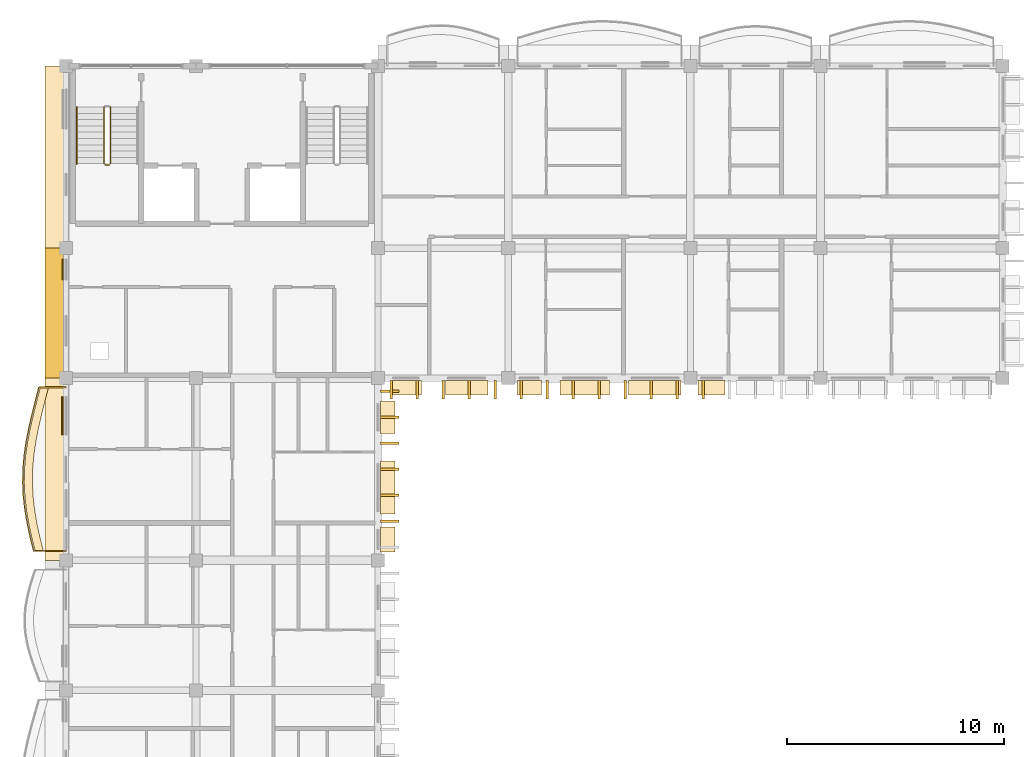
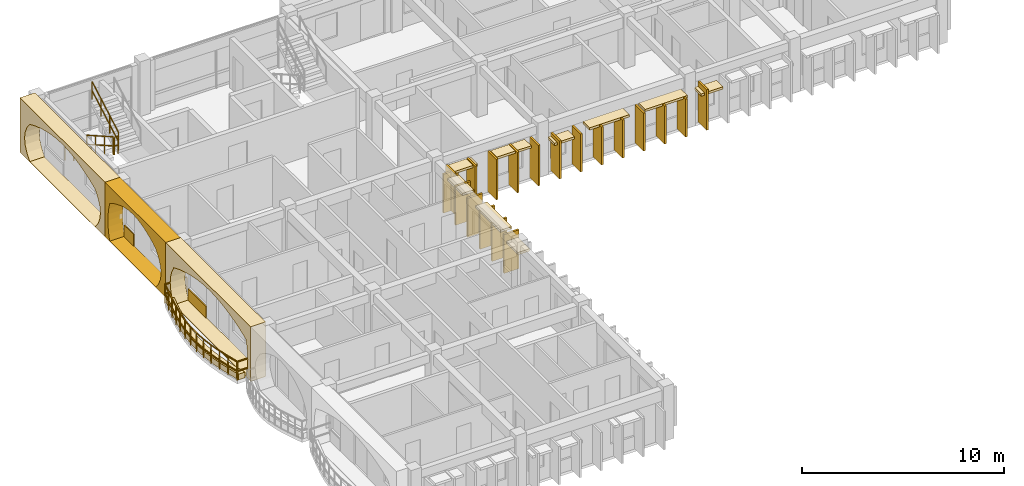
# One storey, part 35 of 45: 34 coverings, 5 railings.
"""IFC4 building model written with IfcOpenShell, lengths in metres."""

import ifcopenshell
import ifcopenshell.guid

model = None  # the IFC model being written
_history = None  # IfcOwnerHistory: only IFC2X3 demands one
_inside = {}  # id of a spatial element -> (the spatial element, [elements in it])
_under = {}  # id of a project, library or spatial element -> (it, [spatial elements below it])
_declared = {}  # id of a project -> (the project, [libraries it declares])
_typed = {}  # id of a type object -> (the type object, [elements of that type])
_made_of = {}  # id of a material, layer set ... -> (it, [elements and type objects made of it])


def new_model(schema):
    """Start an empty IFC model of exactly this schema.

    Asked for "IFC4X3", IfcOpenShell would pick the latest addendum, in which some entities
    have other attributes; the version numbers below select the first issue.
    IFC2X3 requires an IfcOwnerHistory on every rooted entity: one is made here for all.
    """
    global model, _history
    if schema == "IFC4X3":
        model = ifcopenshell.file(schema_version=(4, 3, 0, 0))
    else:
        model = ifcopenshell.file(schema=schema)
    _inside.clear()
    _under.clear()
    _declared.clear()
    _typed.clear()
    _made_of.clear()
    _history = None
    if model.schema == "IFC2X3":
        org = make("IfcOrganization", Name="unknown")
        user = make(
            "IfcPersonAndOrganization",
            ThePerson=make("IfcPerson", FamilyName="unknown"),
            TheOrganization=org,
        )
        app = make(
            "IfcApplication",
            ApplicationDeveloper=org,
            Version="unknown",
            ApplicationFullName="unknown",
            ApplicationIdentifier="unknown",
        )
        _history = make(
            "IfcOwnerHistory",
            OwningUser=user,
            OwningApplication=app,
            ChangeAction="ADDED",
            CreationDate=0,
        )
    return model


def make(cls, **values):
    """One entity of the class cls with the attributes given. An attribute that is None is left unset."""
    return model.create_entity(
        cls, **{name: value for name, value in values.items() if value is not None}
    )


def rooted(cls, **values):
    """An entity with a GlobalId (a new one), such as an element, a storey or a relation."""
    return make(cls, GlobalId=ifcopenshell.guid.new(), OwnerHistory=_history, **values)


def si_unit(unit_type, name, prefix=None):
    """IfcSIUnit, for example si_unit("LENGTHUNIT", "METRE", prefix="MILLI")."""
    return make("IfcSIUnit", UnitType=unit_type, Prefix=prefix, Name=name)


def assignment(units):
    """IfcUnitAssignment: the units of a project."""
    return None if units is None else make("IfcUnitAssignment", Units=units)


def point(xyz):
    """IfcCartesianPoint."""
    return None if xyz is None else make("IfcCartesianPoint", Coordinates=xyz)


def direction(xyz):
    """IfcDirection."""
    return None if xyz is None else make("IfcDirection", DirectionRatios=xyz)


def frame(location, z_axis=None, x_axis=None):
    """IfcAxis2Placement3D, a coordinate frame: its origin and axes. An axis left out is left unset."""
    return make(
        "IfcAxis2Placement3D",
        Location=point(location),
        Axis=direction(z_axis),
        RefDirection=direction(x_axis),
    )


def frame_2d(location, x_axis=None):
    """IfcAxis2Placement2D, a coordinate frame in the plane: its origin and x axis."""
    return make(
        "IfcAxis2Placement2D", Location=point(location), RefDirection=direction(x_axis)
    )


def origin():
    """The frame at (0, 0, 0) with its axes left unset."""
    return frame((0.0, 0.0, 0.0))


def origin_2d():
    """The frame at (0, 0) in the plane with its x axis left unset."""
    return frame_2d((0.0, 0.0))


def place(relative_to, where):
    """IfcLocalPlacement: puts the frame where relative to a parent placement (None: the world)."""
    return make(
        "IfcLocalPlacement", PlacementRelTo=relative_to, RelativePlacement=where
    )


def context(
    kind, dimensions, precision=None, world=None, true_north=None, identifier=None
):
    """IfcGeometricRepresentationContext, for example the 3D "Model" context."""
    return make(
        "IfcGeometricRepresentationContext",
        ContextIdentifier=identifier,
        ContextType=kind,
        CoordinateSpaceDimension=dimensions,
        Precision=precision,
        WorldCoordinateSystem=world,
        TrueNorth=true_north,
    )


def subcontext(parent, identifier, kind, view, scale=None):
    """IfcGeometricRepresentationSubContext, for example "Body" below "Model"."""
    return make(
        "IfcGeometricRepresentationSubContext",
        ContextIdentifier=identifier,
        ContextType=kind,
        ParentContext=parent,
        TargetScale=scale,
        TargetView=view,
    )


def project(units=None, contexts=None):
    """IfcProject with its units and contexts."""
    return rooted(
        "IfcProject",
        Name="project",
        RepresentationContexts=contexts,
        UnitsInContext=assignment(units),
    )


def spatial(cls, under=None, at=None, **own):
    """A site, building, storey or space (cls), placed at a placement, below another one or the project."""
    s = rooted(cls, ObjectPlacement=at, **own)
    if under is not None:
        _under.setdefault(under.id(), (under, []))[1].append(s)
    return s


def polyline(points):
    """IfcPolyline through the points."""
    return make("IfcPolyline", Points=[point(p) for p in points])


def profile(cls, at=None, kind="AREA", **sizes):
    """A parametric profile (cls). Its sizes go by their IFC names, for example OverallWidth=200.0."""
    return make(cls, ProfileType=kind, Position=at, **sizes)


def rectangle(**sizes):
    """IfcRectangleProfileDef."""
    return profile("IfcRectangleProfileDef", **sizes)


def outline(outer, holes=None, kind="AREA"):
    """IfcArbitraryClosedProfileDef: a profile drawn as a closed curve; with holes, ...WithVoids."""
    if holes is None:
        return make("IfcArbitraryClosedProfileDef", ProfileType=kind, OuterCurve=outer)
    return make(
        "IfcArbitraryProfileDefWithVoids",
        ProfileType=kind,
        OuterCurve=outer,
        InnerCurves=holes,
    )


def extrude(swept, where, along, depth):
    """IfcExtrudedAreaSolid: the profile swept, set in the frame where, extruded along a direction by depth."""
    return make(
        "IfcExtrudedAreaSolid",
        SweptArea=swept,
        Position=where,
        ExtrudedDirection=direction(along),
        Depth=depth,
    )


def shape(context_of_items, identifier, shape_type, items):
    """IfcShapeRepresentation: the items that make up one representation, for example the "Body"."""
    return make(
        "IfcShapeRepresentation",
        ContextOfItems=context_of_items,
        RepresentationIdentifier=identifier,
        RepresentationType=shape_type,
        Items=items,
    )


def material(Name=None, Category=None):
    """IfcMaterial."""
    return make("IfcMaterial", Name=Name, Category=Category)


def layer(
    of_material, thickness, ventilated=None, Name=None, Category=None, Priority=None
):
    """IfcMaterialLayer: one layer of a wall or slab, of a material (None: an air gap)."""
    return make(
        "IfcMaterialLayer",
        Material=of_material,
        LayerThickness=thickness,
        IsVentilated=ventilated,
        Name=Name,
        Category=Category,
        Priority=Priority,
    )


def layer_set(layers, Name=None):
    """IfcMaterialLayerSet."""
    return make("IfcMaterialLayerSet", MaterialLayers=layers, LayerSetName=Name)


def made_of(thing, what):
    """Note that an element or type object is made of a material, layer set ...; save() writes the relation."""
    if what is not None:
        _made_of.setdefault(what.id(), (what, []))[1].append(thing)
    return thing


def type_object(cls, material=None, **own):
    """A type object (cls), such as IfcWallType, which elements share."""
    return made_of(rooted(cls, **own), material)


def element(
    cls,
    number,
    at=None,
    inside=None,
    cuts=None,
    type_object=None,
    material=None,
    context=None,
    identifier="Body",
    shape_type=None,
    held_by="IfcProductDefinitionShape",
    body=None,
    shapes=None,
    **own,
):
    """One element of the class cls, such as IfcWall. Its Tag is "e" and its number.

    at: its placement. inside: the storey or other place that contains it. cuts: it is an
    opening in that element (IfcRelVoidsElement). A single representation is given by context,
    identifier, shape_type and body (its items); several are given by shapes. held_by: the class
    of the entity that holds the representations. save() writes the other relations.
    """
    e = rooted(cls, Tag="e%d" % number, ObjectPlacement=at, **own)
    if body is not None:
        shapes = [shape(context, identifier, shape_type, body)]
    if shapes is not None:
        e.Representation = make(held_by, Representations=shapes)
    if inside is not None:
        _inside.setdefault(inside.id(), (inside, []))[1].append(e)
    if cuts is not None:
        rooted(
            "IfcRelVoidsElement", RelatingBuildingElement=cuts, RelatedOpeningElement=e
        )
    if type_object is not None:
        _typed.setdefault(type_object.id(), (type_object, []))[1].append(e)
    return made_of(e, material)


def aggregate(whole, parts):
    """IfcRelAggregates: a whole, such as a stair, and the parts it consists of."""
    return rooted("IfcRelAggregates", RelatingObject=whole, RelatedObjects=parts)


def save(model, path):
    """Write the relations noted so far, then the file.

    IfcRelAggregates (storeys below a building ...), IfcRelContainedInSpatialStructure (elements
    in a storey), IfcRelDefinesByType, IfcRelAssociatesMaterial and IfcRelDeclares: one each for
    every whole, place, type object, material and project.
    """
    for whole, parts in _under.values():
        aggregate(whole, parts)
    for where, things in _inside.values():
        rooted(
            "IfcRelContainedInSpatialStructure",
            RelatedElements=things,
            RelatingStructure=where,
        )
    for kind, things in _typed.values():
        rooted("IfcRelDefinesByType", RelatedObjects=things, RelatingType=kind)
    for what, things in _made_of.values():
        rooted("IfcRelAssociatesMaterial", RelatedObjects=things, RelatingMaterial=what)
    for by, libraries in _declared.values():
        rooted("IfcRelDeclares", RelatingContext=by, RelatedDefinitions=libraries)
    model.write(path)


model = new_model("IFC4")

# Units and contexts
model_context = context("Model", 3, precision=1e-05, world=origin(), true_north=direction((0.0, 1.0)))
body_context = subcontext(model_context, "Body", "Model", "MODEL_VIEW")
ifc_project = project(units=[si_unit("LENGTHUNIT", "METRE"), si_unit("AREAUNIT", "SQUARE_METRE"), si_unit("VOLUMEUNIT", "CUBIC_METRE"), si_unit("PLANEANGLEUNIT", "RADIAN"), si_unit("MASSUNIT", "GRAM", prefix="KILO"), si_unit("THERMODYNAMICTEMPERATUREUNIT", "KELVIN")], contexts=[model_context])

# Site, building, storey
site_placement = place(None, origin())
site = spatial("IfcSite", under=ifc_project, at=site_placement, CompositionType="ELEMENT")
building_placement = place(site_placement, origin())
building = spatial("IfcBuilding", under=site, at=building_placement, Name="Thalorik Housing Commons", CompositionType="ELEMENT")
storey_placement = place(building_placement, frame((0.0, 0.0, 34.5)))
storey = spatial("IfcBuildingStorey", under=building, at=storey_placement, Name="L10", CompositionType="ELEMENT", Elevation=34.5)

# Coverings
ifc_material_1 = material(Name="Cobalt blue glazed ceramic facade tile panel", Category="masonry")
ifc_layer_1 = layer(ifc_material_1, 0.06005859375, Name="Cobalt blue glazed ceramic facade tile panel", Category="masonry")
ifc_layer_set_1 = layer_set([ifc_layer_1], Name="Cobalt blue glazed ceramic facade tile panel")
covering_type_1 = type_object("IfcCoveringType", Name="ARC-CLD-BLU-60", PredefinedType="CLADDING", material=ifc_layer_set_1)
covering_1_placement = place(storey_placement, frame((8.24755859375, 107.469970703125, 0.0498046875), z_axis=(0.0, 0.0, 1.0), x_axis=(0.0, -1.0, 0.0)))
element("IfcCovering", 1, at=covering_1_placement, inside=storey, type_object=covering_type_1, Name="L10 De Stijl Recessed Window Spandrel 1059", PredefinedType="CLADDING", context=body_context, shape_type="SweptSolid", body=[
    extrude(rectangle(XDim=1.75, YDim=0.06005859375, at=origin_2d()), origin(), (0.0, 0.0, 1.0), 0.699951171875),
])
ifc_material_2 = material(Name="Precast concrete C40/50", Category="concrete")
ifc_layer_2 = layer(ifc_material_2, 0.85009765625, Name="Precast concrete C40/50", Category="concrete")
ifc_layer_set_2 = layer_set([ifc_layer_2], Name="Precast concrete C40/50")
covering_type_2 = type_object("IfcCoveringType", Name="ARC-CLD-CUSH-850", PredefinedType="CLADDING", material=ifc_layer_set_2)
covering_2_placement = place(storey_placement, frame((7.857421875, 119.39990234375, 0.0), z_axis=(0.0, 0.0, 1.0), x_axis=(0.0, -1.0, 0.0)))
element("IfcCovering", 2, at=covering_2_placement, inside=storey, type_object=covering_type_2, Name="L10 White Precast Curved Cushion Bay Frame 1054", PredefinedType="CLADDING", context=body_context, shape_type="SweptSolid", body=[
    extrude(outline(polyline([(-4.199951171875, 0.0), (4.199951171875, 0.0), (4.199951171875, 3.300048828125), (-4.199951171875, 3.300048828125), (-4.199951171875, 0.0)]), holes=[polyline([(3.239990234375, 0.02490234375), (3.523193359375, 0.40087890625), (3.693359375, 0.776611328125), (3.75, 1.152587890625), (3.693359375, 1.5283203125), (3.523193359375, 1.904296875), (3.239990234375, 2.280029296875), (2.699951171875, 2.51123046875), (2.159912109375, 2.693115234375), (1.6201171875, 2.840087890625), (1.080078125, 2.94970703125), (0.5400390625, 3.01708984375), (0.0, 3.0400390625), (-0.5400390625, 3.01708984375), (-1.080078125, 2.94970703125), (-1.6201171875, 2.840087890625), (-2.159912109375, 2.693115234375), (-2.699951171875, 2.51123046875), (-3.239990234375, 2.280029296875), (-3.523193359375, 1.904296875), (-3.693359375, 1.5283203125), (-3.75, 1.152587890625), (-3.693359375, 0.776611328125), (-3.523193359375, 0.40087890625), (-3.239990234375, 0.02490234375), (3.239990234375, 0.02490234375)])]), frame((0.0, 0.425048828125, 0.0), z_axis=(0.0, -1.0, 0.0), x_axis=(1.0, 0.0, 0.0)), (0.0, 0.0, 1.0), 0.85009765625),
])
covering_3_placement = place(storey_placement, frame((7.857421875, 112.199951171875, 0.0), z_axis=(0.0, 0.0, 1.0), x_axis=(0.0, -1.0, 0.0)))
element("IfcCovering", 3, at=covering_3_placement, inside=storey, type_object=covering_type_2, Name="L10 White Precast Curved Cushion Bay Frame 1056", PredefinedType="CLADDING", context=body_context, shape_type="SweptSolid", body=[
    extrude(outline(polyline([(-3.0, 0.0), (3.0, 0.0), (3.0, 3.300048828125), (-3.0, 3.300048828125), (-3.0, 0.0)]), holes=[polyline([(2.0400390625, 0.02490234375), (2.3232421875, 0.404296875), (2.493408203125, 0.783203125), (2.550048828125, 1.16259765625), (2.493408203125, 1.541748046875), (2.3232421875, 1.9208984375), (2.0400390625, 2.300048828125), (1.6591796875, 2.525390625), (1.2783203125, 2.7021484375), (0.8974609375, 2.845458984375), (0.5166015625, 2.951904296875), (0.1357421875, 3.017822265625), (-0.2451171875, 3.0400390625), (-0.625732421875, 3.017822265625), (-1.006591796875, 2.951904296875), (-1.387451171875, 2.845458984375), (-1.768310546875, 2.7021484375), (-2.149169921875, 2.525390625), (-2.530029296875, 2.300048828125), (-2.629150390625, 1.9208984375), (-2.688720703125, 1.541748046875), (-2.70849609375, 1.16259765625), (-2.688720703125, 0.783203125), (-2.629150390625, 0.404296875), (-2.530029296875, 0.02490234375), (2.0400390625, 0.02490234375)])]), frame((0.0, 0.425048828125, 0.0), z_axis=(0.0, -1.0, 0.0), x_axis=(1.0, 0.0, 0.0)), (0.0, 0.0, 1.0), 0.85009765625),
])
covering_4_placement = place(storey_placement, frame((7.857421875, 105.0, 0.0), z_axis=(0.0, 0.0, 1.0), x_axis=(0.0, -1.0, 0.0)))
element("IfcCovering", 4, at=covering_4_placement, inside=storey, type_object=covering_type_2, Name="L10 White Precast Curved Cushion Bay Frame 1058", PredefinedType="CLADDING", context=body_context, shape_type="SweptSolid", body=[
    extrude(outline(polyline([(-4.199951171875, 0.0), (4.199951171875, 0.0), (4.199951171875, 3.300048828125), (-4.199951171875, 3.300048828125), (-4.199951171875, 0.0)]), holes=[polyline([(3.7451171875, 0.02490234375), (3.841064453125, 0.399169921875), (3.898681640625, 0.773193359375), (3.91796875, 1.1474609375), (3.898681640625, 1.521728515625), (3.841064453125, 1.895751953125), (3.7451171875, 2.27001953125), (3.14990234375, 2.50439453125), (2.554931640625, 2.6884765625), (1.9599609375, 2.837646484375), (1.364990234375, 2.948486328125), (0.77001953125, 3.016845703125), (0.175048828125, 3.0400390625), (-0.419921875, 3.016845703125), (-1.014892578125, 2.948486328125), (-1.610107421875, 2.837646484375), (-2.205078125, 2.6884765625), (-2.800048828125, 2.50439453125), (-3.39501953125, 2.27001953125), (-3.59228515625, 1.895751953125), (-3.710693359375, 1.521728515625), (-3.75, 1.1474609375), (-3.710693359375, 0.773193359375), (-3.59228515625, 0.399169921875), (-3.39501953125, 0.02490234375), (3.7451171875, 0.02490234375)])]), frame((0.0, 0.425048828125, 0.0), z_axis=(0.0, -1.0, 0.0), x_axis=(1.0, 0.0, 0.0)), (0.0, 0.0, 1.0), 0.85009765625),
])
ifc_layer_3 = layer(ifc_material_2, 0.85009765625, Name="Precast concrete C40/50", Category="concrete")
ifc_layer_set_3 = layer_set([ifc_layer_3], Name="Precast concrete C40/50")
covering_type_3 = type_object("IfcCoveringType", Name="ARC-CLD-FIN-850", PredefinedType="CLADDING", material=ifc_layer_set_3)
for number, where, z_axis, x_axis, name in (
    (5, (23.39990234375, 108.657470703125, 0.0400390625), (0.0, 0.0, 1.0), (1.0, 0.0, 0.0), "L10 Courtyard Precast Vertical Brise-Soleil Fin 994"),
    (6, (24.60009765625, 108.657470703125, 0.0400390625), (0.0, 0.0, 1.0), (1.0, 0.0, 0.0), "L10 Courtyard Precast Vertical Brise-Soleil Fin 995"),
    (7, (25.800048828125, 108.657470703125, 0.0400390625), (0.0, 0.0, 1.0), (1.0, 0.0, 0.0), "L10 Courtyard Precast Vertical Brise-Soleil Fin 996"),
    (8, (27.0, 108.657470703125, 0.0400390625), (0.0, 0.0, 1.0), (1.0, 0.0, 0.0), "L10 Courtyard Precast Vertical Brise-Soleil Fin 997"),
    (9, (28.199951171875, 108.657470703125, 0.0400390625), (0.0, 0.0, 1.0), (1.0, 0.0, 0.0), "L10 Courtyard Precast Vertical Brise-Soleil Fin 998"),
):
    element("IfcCovering", number, at=place(storey_placement, frame(where, z_axis=z_axis, x_axis=x_axis)), inside=storey, type_object=covering_type_3, Name=name, PredefinedType="CLADDING", context=body_context, shape_type="SweptSolid", body=[
        extrude(rectangle(XDim=0.110107421875, YDim=0.85009765625, at=origin_2d()), origin(), (0.0, 0.0, 1.0), 2.445068359375),
    ])
for number, where, z_axis, x_axis, name in (
    (10, (29.39990234375, 108.657470703125, 0.0400390625), (0.0, 0.0, 1.0), (1.0, 0.0, 0.0), "L10 Courtyard Precast Vertical Brise-Soleil Fin 1001"),
    (11, (30.60009765625, 108.657470703125, 0.0400390625), (0.0, 0.0, 1.0), (1.0, 0.0, 0.0), "L10 Courtyard Precast Vertical Brise-Soleil Fin 1002"),
    (12, (31.800048828125, 108.657470703125, 0.0400390625), (0.0, 0.0, 1.0), (1.0, 0.0, 0.0), "L10 Courtyard Precast Vertical Brise-Soleil Fin 1003"),
    (13, (33.0, 108.657470703125, 0.0400390625), (0.0, 0.0, 1.0), (1.0, 0.0, 0.0), "L10 Courtyard Precast Vertical Brise-Soleil Fin 1004"),
    (14, (34.199951171875, 108.657470703125, 0.0400390625), (0.0, 0.0, 1.0), (1.0, 0.0, 0.0), "L10 Courtyard Precast Vertical Brise-Soleil Fin 1005"),
    (15, (35.39990234375, 108.657470703125, 0.0400390625), (0.0, 0.0, 1.0), (1.0, 0.0, 0.0), "L10 Courtyard Precast Vertical Brise-Soleil Fin 1006"),
    (16, (36.60009765625, 108.657470703125, 0.0400390625), (0.0, 0.0, 1.0), (1.0, 0.0, 0.0), "L10 Courtyard Precast Vertical Brise-Soleil Fin 1007"),
):
    element("IfcCovering", number, at=place(storey_placement, frame(where, z_axis=z_axis, x_axis=x_axis)), inside=storey, type_object=covering_type_3, Name=name, PredefinedType="CLADDING", context=body_context, shape_type="SweptSolid", body=[
        extrude(rectangle(XDim=0.110107421875, YDim=0.85009765625, at=origin_2d()), origin(), (0.0, 0.0, 1.0), 2.294921875),
    ])
covering_5_placement = place(storey_placement, frame((37.800048828125, 108.657470703125, 0.0400390625), z_axis=(0.0, 0.0, 1.0), x_axis=(1.0, 0.0, 0.0)))
element("IfcCovering", 17, at=covering_5_placement, inside=storey, type_object=covering_type_3, Name="L10 Courtyard Precast Vertical Brise-Soleil Fin 1011", PredefinedType="CLADDING", context=body_context, shape_type="SweptSolid", body=[
    extrude(rectangle(XDim=0.110107421875, YDim=0.85009765625, at=origin_2d()), origin(), (0.0, 0.0, 1.0), 2.445068359375),
])
for number, where, z_axis, x_axis, name in (
    (18, (23.342529296875, 102.60009765625, 0.0400390625), (0.0, 0.0, 1.0), (0.0, 1.0, 0.0), "L10 Courtyard Precast Vertical Brise-Soleil Fin 1099"),
    (19, (23.342529296875, 103.800048828125, 0.0400390625), (0.0, 0.0, 1.0), (0.0, 1.0, 0.0), "L10 Courtyard Precast Vertical Brise-Soleil Fin 1100"),
    (20, (23.342529296875, 105.0, 0.0400390625), (0.0, 0.0, 1.0), (0.0, 1.0, 0.0), "L10 Courtyard Precast Vertical Brise-Soleil Fin 1101"),
    (21, (23.342529296875, 106.199951171875, 0.0400390625), (0.0, 0.0, 1.0), (0.0, 1.0, 0.0), "L10 Courtyard Precast Vertical Brise-Soleil Fin 1102"),
    (22, (23.342529296875, 107.39990234375, 0.0400390625), (0.0, 0.0, 1.0), (0.0, 1.0, 0.0), "L10 Courtyard Precast Vertical Brise-Soleil Fin 1103"),
    (23, (23.342529296875, 108.60009765625, 0.0400390625), (0.0, 0.0, 1.0), (0.0, 1.0, 0.0), "L10 Courtyard Precast Vertical Brise-Soleil Fin 1104"),
):
    element("IfcCovering", number, at=place(storey_placement, frame(where, z_axis=z_axis, x_axis=x_axis)), inside=storey, type_object=covering_type_3, Name=name, PredefinedType="CLADDING", context=body_context, shape_type="SweptSolid", body=[
        extrude(rectangle(XDim=0.110107421875, YDim=0.85009765625, at=origin_2d()), origin(), (0.0, 0.0, 1.0), 2.344970703125),
    ])
ifc_layer_4 = layer(ifc_material_2, 0.64990234375, Name="Precast concrete C40/50", Category="concrete")
ifc_layer_set_4 = layer_set([ifc_layer_4], Name="Precast concrete C40/50")
covering_type_4 = type_object("IfcCoveringType", Name="ARC-CLD-HOOD-650", PredefinedType="CLADDING", material=ifc_layer_set_4)
covering_6_placement = place(storey_placement, frame((24.070068359375, 108.757568359375, 2.2900390625), z_axis=(0.0, 0.0, 1.0), x_axis=(1.0, 0.0, 0.0)))
element("IfcCovering", 24, at=covering_6_placement, inside=storey, type_object=covering_type_4, Name="L10 Courtyard Precast Window Sun-Hood 999", PredefinedType="CLADDING", context=body_context, shape_type="SweptSolid", body=[
    extrude(rectangle(XDim=1.43994140625, YDim=0.64990234375, at=origin_2d()), origin(), (0.0, 0.0, 1.0), 0.139892578125),
])
covering_7_placement = place(storey_placement, frame((26.8798828125, 108.757568359375, 2.31005859375), z_axis=(0.0, 0.0, 1.0), x_axis=(1.0, 0.0, 0.0)))
element("IfcCovering", 25, at=covering_7_placement, inside=storey, type_object=covering_type_4, Name="L10 Courtyard Precast Window Sun-Hood 1000", PredefinedType="CLADDING", context=body_context, shape_type="SweptSolid", body=[
    extrude(rectangle(XDim=1.9599609375, YDim=0.64990234375, at=origin_2d()), origin(), (0.0, 0.0, 1.0), 0.139892578125),
])
covering_8_placement = place(storey_placement, frame((29.762451171875, 108.757568359375, 1.990234375), z_axis=(0.0, 0.0, 1.0), x_axis=(1.0, 0.0, 0.0)))
element("IfcCovering", 26, at=covering_8_placement, inside=storey, type_object=covering_type_4, Name="L10 Courtyard Precast Window Sun-Hood 1008", PredefinedType="CLADDING", context=body_context, shape_type="SweptSolid", body=[
    extrude(rectangle(XDim=1.139892578125, YDim=0.64990234375, at=origin_2d()), origin(), (0.0, 0.0, 1.0), 0.139892578125),
])
covering_9_placement = place(storey_placement, frame((32.327392578125, 108.757568359375, 2.22509765625), z_axis=(0.0, 0.0, 1.0), x_axis=(1.0, 0.0, 0.0)))
element("IfcCovering", 27, at=covering_9_placement, inside=storey, type_object=covering_type_4, Name="L10 Courtyard Precast Window Sun-Hood 1009", PredefinedType="CLADDING", context=body_context, shape_type="SweptSolid", body=[
    extrude(rectangle(XDim=2.280029296875, YDim=0.64990234375, at=origin_2d()), origin(), (0.0, 0.0, 1.0), 0.139892578125),
])
covering_10_placement = place(storey_placement, frame((35.56494140625, 108.757568359375, 2.22509765625), z_axis=(0.0, 0.0, 1.0), x_axis=(1.0, 0.0, 0.0)))
element("IfcCovering", 28, at=covering_10_placement, inside=storey, type_object=covering_type_4, Name="L10 Courtyard Precast Window Sun-Hood 1010", PredefinedType="CLADDING", context=body_context, shape_type="SweptSolid", body=[
    extrude(rectangle(XDim=2.419921875, YDim=0.64990234375, at=origin_2d()), origin(), (0.0, 0.0, 1.0), 0.139892578125),
])
covering_11_placement = place(storey_placement, frame((38.175048828125, 108.757568359375, 2.0400390625), z_axis=(0.0, 0.0, 1.0), x_axis=(1.0, 0.0, 0.0)))
element("IfcCovering", 29, at=covering_11_placement, inside=storey, type_object=covering_type_4, Name="L10 Courtyard Precast Window Sun-Hood 1016", PredefinedType="CLADDING", context=body_context, shape_type="SweptSolid", body=[
    extrude(rectangle(XDim=1.239990234375, YDim=0.64990234375, at=origin_2d()), origin(), (0.0, 0.0, 1.0), 0.139892578125),
])
covering_12_placement = place(storey_placement, frame((23.242431640625, 101.7548828125, 1.990234375), z_axis=(0.0, 0.0, 1.0), x_axis=(0.0, 1.0, 0.0)))
element("IfcCovering", 30, at=covering_12_placement, inside=storey, type_object=covering_type_4, Name="L10 Courtyard Precast Window Sun-Hood 1105", PredefinedType="CLADDING", context=body_context, shape_type="SweptSolid", body=[
    extrude(rectangle(XDim=1.139892578125, YDim=0.64990234375, at=origin_2d()), origin(), (0.0, 0.0, 1.0), 0.139892578125),
])
covering_13_placement = place(storey_placement, frame((23.242431640625, 104.15673828125, 2.27490234375), z_axis=(0.0, 0.0, 1.0), x_axis=(0.0, 1.0, 0.0)))
element("IfcCovering", 31, at=covering_13_placement, inside=storey, type_object=covering_type_4, Name="L10 Courtyard Precast Window Sun-Hood 1106", PredefinedType="CLADDING", context=body_context, shape_type="SweptSolid", body=[
    extrude(rectangle(XDim=2.43994140625, YDim=0.64990234375, at=origin_2d()), origin(), (0.0, 0.0, 1.0), 0.139892578125),
])
covering_14_placement = place(storey_placement, frame((23.242431640625, 107.40185546875, 2.240234375), z_axis=(0.0, 0.0, 1.0), x_axis=(0.0, 1.0, 0.0)))
element("IfcCovering", 32, at=covering_14_placement, inside=storey, type_object=covering_type_4, Name="L10 Courtyard Precast Window Sun-Hood 1107", PredefinedType="CLADDING", context=body_context, shape_type="SweptSolid", body=[
    extrude(rectangle(XDim=1.489990234375, YDim=0.64990234375, at=origin_2d()), origin(), (0.0, 0.0, 1.0), 0.139892578125),
])
ifc_material_3 = material(Name="Terracotta red mineral fibre-cement panel", Category="masonry")
ifc_layer_5 = layer(ifc_material_3, 0.054931640625, Name="Terracotta red mineral fibre-cement panel", Category="masonry")
ifc_layer_set_5 = layer_set([ifc_layer_5], Name="Terracotta red mineral fibre-cement panel")
covering_type_5 = type_object("IfcCoveringType", Name="ARC-CLD-RED-55", PredefinedType="CLADDING", material=ifc_layer_set_5)
covering_15_placement = place(storey_placement, frame((8.25, 114.205078125, 0.0498046875), z_axis=(0.0, 0.0, 1.0), x_axis=(0.0, -1.0, 0.0)))
element("IfcCovering", 33, at=covering_15_placement, inside=storey, type_object=covering_type_5, Name="L10 De Stijl Recessed Window Spandrel 1057", PredefinedType="CLADDING", context=body_context, shape_type="SweptSolid", body=[
    extrude(rectangle(XDim=0.949951171875, YDim=0.054931640625, at=origin_2d()), origin(), (0.0, 0.0, 1.0), 0.699951171875),
])
ifc_material_4 = material(Name="Planted vegetated substrate and terracotta trough", Category="masonry")
ifc_layer_6 = layer(ifc_material_4, 0.340087890625, Name="Planted vegetated substrate and terracotta trough", Category="masonry")
ifc_layer_set_6 = layer_set([ifc_layer_6], Name="Planted vegetated substrate and terracotta trough")
covering_type_6 = type_object("IfcCoveringType", Name="ARC-COV-PLANTER", PredefinedType="USERDEFINED", material=ifc_layer_set_6)
covering_16_placement = place(storey_placement, origin())
element("IfcCovering", 34, at=covering_16_placement, inside=storey, type_object=covering_type_6, Name="L10 Balcony Slab-Edge Planted Trough 5391", ObjectType="PLANTER", PredefinedType="USERDEFINED", context=body_context, shape_type="SweptSolid", body=[
    extrude(outline(polyline([(7.219482421875, 108.780029296875), (7.059326171875, 108.14990234375), (6.90087890625, 107.52001953125), (6.755615234375, 106.889892578125), (6.63330078125, 106.260009765625), (6.542236328125, 105.6298828125), (6.489013671875, 105.0), (6.4775390625, 104.3701171875), (6.5087890625, 103.739990234375), (6.580810546875, 103.110107421875), (6.68896484375, 102.47998046875), (6.825927734375, 101.85009765625), (6.982421875, 101.219970703125), (7.3623046875, 101.219970703125), (7.205810546875, 101.85009765625), (7.069091796875, 102.47998046875), (6.9609375, 103.110107421875), (6.888916015625, 103.739990234375), (6.857666015625, 104.3701171875), (6.868896484375, 105.0), (6.922119140625, 105.6298828125), (7.01318359375, 106.260009765625), (7.135498046875, 106.889892578125), (7.281005859375, 107.52001953125), (7.439208984375, 108.14990234375), (7.599609375, 108.780029296875), (7.219482421875, 108.780029296875)])), origin(), (0.0, 0.0, 1.0), 0.340087890625),
])

# Railings
ifc_material_5 = material(Name="Steel S355", Category="steel")
railing_type_1 = type_object("IfcRailingType", Name="ARC-RL-BAL-115", PredefinedType="BALUSTRADE", material=ifc_material_5)
railing_1_placement = place(storey_placement, frame((8.39990234375, 108.780029296875, 0.0)))
element("IfcRailing", 35, at=railing_1_placement, inside=storey, type_object=railing_type_1, Name="L10 Cushion Balcony Guardrail 75", PredefinedType="BALUSTRADE", context=body_context, shape_type="SweptSolid", body=[
    extrude(rectangle(XDim=0.050048828125, YDim=0.050048828125, at=origin_2d()), frame((0.0, 0.0, 1.125), z_axis=(-1.0, 0.0, 0.0), x_axis=(0.0, -1.0, 0.0)), (0.0, 0.0, 1.0), 1.250244140625),
    extrude(rectangle(XDim=0.050048828125, YDim=0.050048828125, at=origin_2d()), frame((0.0, 0.0, 0.5498046875), z_axis=(-1.0, 0.0, 0.0), x_axis=(0.0, -1.0, 0.0)), (0.0, 0.0, 1.0), 1.250244140625),
    extrude(rectangle(XDim=0.050048828125, YDim=0.050048828125, at=origin_2d()), frame((-1.250244140625, 0.0, 1.125), z_axis=(-0.246685691995, -0.969095541918, 0.0), x_axis=(0.969095541918, -0.246685691995, 0.0)), (0.0, 0.0, 1.0), 0.650146484375),
    extrude(rectangle(XDim=0.050048828125, YDim=0.050048828125, at=origin_2d()), frame((-1.250244140625, 0.0, 0.5498046875), z_axis=(-0.246685691995, -0.969095541918, 0.0), x_axis=(0.969095541918, -0.246685691995, 0.0)), (0.0, 0.0, 1.0), 0.650146484375),
    extrude(rectangle(XDim=0.050048828125, YDim=0.050048828125, at=origin_2d()), frame((-1.41064453125, -0.630126953125, 1.125), z_axis=(-0.243596904294, -0.969876563393, 0.0), x_axis=(0.969876563393, -0.243596904294, 0.0)), (0.0, 0.0, 1.0), 0.6494140625),
    extrude(rectangle(XDim=0.050048828125, YDim=0.050048828125, at=origin_2d()), frame((-1.41064453125, -0.630126953125, 0.5498046875), z_axis=(-0.243596904294, -0.969876563393, 0.0), x_axis=(0.969876563393, -0.243596904294, 0.0)), (0.0, 0.0, 1.0), 0.6494140625),
    extrude(rectangle(XDim=0.050048828125, YDim=0.050048828125, at=origin_2d()), frame((-1.56884765625, -1.260009765625, 1.125), z_axis=(-0.224997360081, -0.974359373104, 0.0), x_axis=(0.974359373104, -0.224997360081, 0.0)), (0.0, 0.0, 1.0), 0.646728515625),
    extrude(rectangle(XDim=0.050048828125, YDim=0.050048828125, at=origin_2d()), frame((-1.56884765625, -1.260009765625, 0.5498046875), z_axis=(-0.224997360081, -0.974359373104, 0.0), x_axis=(0.974359373104, -0.224997360081, 0.0)), (0.0, 0.0, 1.0), 0.646728515625),
    extrude(rectangle(XDim=0.050048828125, YDim=0.050048828125, at=origin_2d()), frame((-1.71435546875, -1.89013671875, 1.125), z_axis=(-0.190625234658, -0.981662885064, 0.0), x_axis=(0.981662885064, -0.190625234658, 0.0)), (0.0, 0.0, 1.0), 0.6416015625),
    extrude(rectangle(XDim=0.050048828125, YDim=0.050048828125, at=origin_2d()), frame((-1.71435546875, -1.89013671875, 0.5498046875), z_axis=(-0.190625234658, -0.981662885064, 0.0), x_axis=(0.981662885064, -0.190625234658, 0.0)), (0.0, 0.0, 1.0), 0.6416015625),
    extrude(rectangle(XDim=0.050048828125, YDim=0.050048828125, at=origin_2d()), frame((-1.836669921875, -2.52001953125, 1.125), z_axis=(-0.143031713848, -0.989718105742, 0.0), x_axis=(0.989718105742, -0.143031713848, 0.0)), (0.0, 0.0, 1.0), 0.63671875),
    extrude(rectangle(XDim=0.050048828125, YDim=0.050048828125, at=origin_2d()), frame((-1.836669921875, -2.52001953125, 0.5498046875), z_axis=(-0.143031713848, -0.989718105742, 0.0), x_axis=(0.989718105742, -0.143031713848, 0.0)), (0.0, 0.0, 1.0), 0.63671875),
    extrude(rectangle(XDim=0.050048828125, YDim=0.050048828125, at=origin_2d()), frame((-1.927734375, -3.150146484375, 1.125), z_axis=(-0.084196095588, -0.99644920467, 0.0), x_axis=(0.99644920467, -0.084196095588, 0.0)), (0.0, 0.0, 1.0), 0.632080078125),
    extrude(rectangle(XDim=0.050048828125, YDim=0.050048828125, at=origin_2d()), frame((-1.927734375, -3.150146484375, 0.5498046875), z_axis=(-0.084196095588, -0.99644920467, 0.0), x_axis=(0.99644920467, -0.084196095588, 0.0)), (0.0, 0.0, 1.0), 0.632080078125),
    extrude(rectangle(XDim=0.050048828125, YDim=0.050048828125, at=origin_2d()), frame((-1.98095703125, -3.780029296875, 1.125), z_axis=(-0.017826624141, -0.99984109311, 0.0), x_axis=(0.99984109311, -0.017826624141, 0.0)), (0.0, 0.0, 1.0), 0.6298828125),
    extrude(rectangle(XDim=0.050048828125, YDim=0.050048828125, at=origin_2d()), frame((-1.98095703125, -3.780029296875, 0.5498046875), z_axis=(-0.017826624141, -0.99984109311, 0.0), x_axis=(0.99984109311, -0.017826624141, 0.0)), (0.0, 0.0, 1.0), 0.6298828125),
    extrude(rectangle(XDim=0.050048828125, YDim=0.050048828125, at=origin_2d()), frame((-1.9921875, -4.409912109375, 1.125), z_axis=(0.049146273597, -0.998791591771, 0.0), x_axis=(0.998791591771, 0.049146273597, 0.0)), (0.0, 0.0, 1.0), 0.630859375),
    extrude(rectangle(XDim=0.050048828125, YDim=0.050048828125, at=origin_2d()), frame((-1.9921875, -4.409912109375, 0.5498046875), z_axis=(0.049146273597, -0.998791591771, 0.0), x_axis=(0.998791591771, 0.049146273597, 0.0)), (0.0, 0.0, 1.0), 0.630859375),
    extrude(rectangle(XDim=0.050048828125, YDim=0.050048828125, at=origin_2d()), frame((-1.961181640625, -5.0400390625, 1.125), z_axis=(0.113980987451, -0.993482931157, 0.0), x_axis=(0.993482931157, 0.113980987451, 0.0)), (0.0, 0.0, 1.0), 0.634033203125),
    extrude(rectangle(XDim=0.050048828125, YDim=0.050048828125, at=origin_2d()), frame((-1.961181640625, -5.0400390625, 0.5498046875), z_axis=(0.113980987451, -0.993482931157, 0.0), x_axis=(0.993482931157, 0.113980987451, 0.0)), (0.0, 0.0, 1.0), 0.634033203125),
    extrude(rectangle(XDim=0.050048828125, YDim=0.050048828125, at=origin_2d()), frame((-1.888916015625, -5.669921875, 1.125), z_axis=(0.168794219485, -0.98565131333, 0.0), x_axis=(0.98565131333, 0.168794219485, 0.0)), (0.0, 0.0, 1.0), 0.639404296875),
    extrude(rectangle(XDim=0.050048828125, YDim=0.050048828125, at=origin_2d()), frame((-1.888916015625, -5.669921875, 0.5498046875), z_axis=(0.168794219485, -0.98565131333, 0.0), x_axis=(0.98565131333, 0.168794219485, 0.0)), (0.0, 0.0, 1.0), 0.639404296875),
    extrude(rectangle(XDim=0.050048828125, YDim=0.050048828125, at=origin_2d()), frame((-1.781005859375, -6.300048828125, 1.125), z_axis=(0.212476816488, -0.977166107914, 0.0), x_axis=(0.977166107914, 0.212476816488, 0.0)), (0.0, 0.0, 1.0), 0.64453125),
    extrude(rectangle(XDim=0.050048828125, YDim=0.050048828125, at=origin_2d()), frame((-1.781005859375, -6.300048828125, 0.5498046875), z_axis=(0.212476816488, -0.977166107914, 0.0), x_axis=(0.977166107914, 0.212476816488, 0.0)), (0.0, 0.0, 1.0), 0.64453125),
    extrude(rectangle(XDim=0.050048828125, YDim=0.050048828125, at=origin_2d()), frame((-1.64404296875, -6.929931640625, 1.125), z_axis=(0.241031238453, -0.970517357954, 0.0), x_axis=(0.970517357954, 0.241031238453, 0.0)), (0.0, 0.0, 1.0), 0.649169921875),
    extrude(rectangle(XDim=0.050048828125, YDim=0.050048828125, at=origin_2d()), frame((-1.64404296875, -6.929931640625, 0.5498046875), z_axis=(0.241031238453, -0.970517357954, 0.0), x_axis=(0.970517357954, 0.241031238453, 0.0)), (0.0, 0.0, 1.0), 0.649169921875),
    extrude(rectangle(XDim=0.050048828125, YDim=0.050048828125, at=origin_2d()), frame((-1.487548828125, -7.56005859375, 1.125), z_axis=(1.0, 0.0, 0.0), x_axis=(0.0, 1.0, 0.0)), (0.0, 0.0, 1.0), 1.487548828125),
    extrude(rectangle(XDim=0.050048828125, YDim=0.050048828125, at=origin_2d()), frame((-1.487548828125, -7.56005859375, 0.5498046875), z_axis=(1.0, 0.0, 0.0), x_axis=(0.0, 1.0, 0.0)), (0.0, 0.0, 1.0), 1.487548828125),
    extrude(rectangle(XDim=0.0419921875, YDim=0.0419921875, at=origin_2d()), origin(), (0.0, 0.0, 1.0), 1.099853515625),
    extrude(rectangle(XDim=0.0419921875, YDim=0.0419921875, at=origin_2d()), frame((-1.250244140625, 0.0, 0.0)), (0.0, 0.0, 1.0), 1.099853515625),
    extrude(rectangle(XDim=0.0419921875, YDim=0.0419921875, at=origin_2d()), frame((-1.41064453125, -0.630126953125, 0.0)), (0.0, 0.0, 1.0), 1.099853515625),
    extrude(rectangle(XDim=0.0419921875, YDim=0.0419921875, at=origin_2d()), frame((-1.56884765625, -1.260009765625, 0.0)), (0.0, 0.0, 1.0), 1.099853515625),
    extrude(rectangle(XDim=0.0419921875, YDim=0.0419921875, at=origin_2d()), frame((-1.71435546875, -1.89013671875, 0.0)), (0.0, 0.0, 1.0), 1.099853515625),
    extrude(rectangle(XDim=0.0419921875, YDim=0.0419921875, at=origin_2d()), frame((-1.836669921875, -2.52001953125, 0.0)), (0.0, 0.0, 1.0), 1.099853515625),
    extrude(rectangle(XDim=0.0419921875, YDim=0.0419921875, at=origin_2d()), frame((-1.927734375, -3.150146484375, 0.0)), (0.0, 0.0, 1.0), 1.099853515625),
    extrude(rectangle(XDim=0.0419921875, YDim=0.0419921875, at=origin_2d()), frame((-1.98095703125, -3.780029296875, 0.0)), (0.0, 0.0, 1.0), 1.099853515625),
    extrude(rectangle(XDim=0.0419921875, YDim=0.0419921875, at=origin_2d()), frame((-1.9921875, -4.409912109375, 0.0)), (0.0, 0.0, 1.0), 1.099853515625),
    extrude(rectangle(XDim=0.0419921875, YDim=0.0419921875, at=origin_2d()), frame((-1.961181640625, -5.0400390625, 0.0)), (0.0, 0.0, 1.0), 1.099853515625),
    extrude(rectangle(XDim=0.0419921875, YDim=0.0419921875, at=origin_2d()), frame((-1.888916015625, -5.669921875, 0.0)), (0.0, 0.0, 1.0), 1.099853515625),
    extrude(rectangle(XDim=0.0419921875, YDim=0.0419921875, at=origin_2d()), frame((-1.781005859375, -6.300048828125, 0.0)), (0.0, 0.0, 1.0), 1.099853515625),
    extrude(rectangle(XDim=0.0419921875, YDim=0.0419921875, at=origin_2d()), frame((-1.64404296875, -6.929931640625, 0.0)), (0.0, 0.0, 1.0), 1.099853515625),
    extrude(rectangle(XDim=0.0419921875, YDim=0.0419921875, at=origin_2d()), frame((-1.487548828125, -7.56005859375, 0.0)), (0.0, 0.0, 1.0), 1.099853515625),
    extrude(rectangle(XDim=0.0419921875, YDim=0.0419921875, at=origin_2d()), frame((0.0, -7.56005859375, 0.0)), (0.0, 0.0, 1.0), 1.099853515625),
])
railing_type_2 = type_object("IfcRailingType", Name="ARC-RL-STR-GRD110", PredefinedType="GUARDRAIL", material=ifc_material_5)
railing_2_placement = place(storey_placement, frame((10.14990234375, 121.699951171875, 0.1650390625)))
element("IfcRailing", 36, at=railing_2_placement, inside=storey, type_object=railing_type_2, Name="L10 ST-A1 stair guard 1", PredefinedType="GUARDRAIL", context=body_context, shape_type="SweptSolid", body=[
    extrude(rectangle(XDim=0.048095703125, YDim=0.048095703125, at=origin_2d()), frame((0.0, 0.0, 1.076171875), z_axis=(0.0, -0.869172267526, 0.494509422927), x_axis=(1.0, 0.0, 0.0)), (0.0, 0.0, 1.0), 3.002685546875),
    extrude(rectangle(XDim=0.048095703125, YDim=0.048095703125, at=origin_2d()), frame((0.0, 0.0, 0.52587890625), z_axis=(0.0, -0.869172267526, 0.494509422927), x_axis=(1.0, 0.0, 0.0)), (0.0, 0.0, 1.0), 3.002685546875),
    extrude(rectangle(XDim=0.0419921875, YDim=0.0419921875, at=origin_2d()), origin(), (0.0, 0.0, 1.0), 1.052001953125),
    extrude(rectangle(XDim=0.0419921875, YDim=0.0419921875, at=origin_2d()), frame((0.0, -0.869873046875, 0.494873046875)), (0.0, 0.0, 1.0), 1.052001953125),
    extrude(rectangle(XDim=0.0419921875, YDim=0.0419921875, at=origin_2d()), frame((0.0, -1.739990234375, 0.989990234375)), (0.0, 0.0, 1.0), 1.052001953125),
    extrude(rectangle(XDim=0.0419921875, YDim=0.0419921875, at=origin_2d()), frame((0.0, -2.60986328125, 1.48486328125)), (0.0, 0.0, 1.0), 1.052001953125),
])
railing_3_placement = place(storey_placement, frame((10.199951171875, 119.0400390625, 1.64990234375)))
element("IfcRailing", 37, at=railing_3_placement, inside=storey, type_object=railing_type_2, Name="L10 ST-A1 stair guard 2", PredefinedType="GUARDRAIL", context=body_context, shape_type="SweptSolid", body=[
    extrude(rectangle(XDim=0.048095703125, YDim=0.048095703125, at=origin_2d()), frame((0.0, 0.0, 1.076171875), z_axis=(1.0, 0.0, 0.0), x_axis=(0.0, 1.0, 0.0)), (0.0, 0.0, 1.0), 0.199951171875),
    extrude(rectangle(XDim=0.048095703125, YDim=0.048095703125, at=origin_2d()), frame((0.0, 0.0, 0.52587890625), z_axis=(1.0, 0.0, 0.0), x_axis=(0.0, 1.0, 0.0)), (0.0, 0.0, 1.0), 0.199951171875),
    extrude(rectangle(XDim=0.0419921875, YDim=0.0419921875, at=origin_2d()), origin(), (0.0, 0.0, 1.0), 1.052001953125),
    extrude(rectangle(XDim=0.0419921875, YDim=0.0419921875, at=origin_2d()), frame((0.199951171875, 0.0, 0.0)), (0.0, 0.0, 1.0), 1.052001953125),
])
railing_4_placement = place(storey_placement, frame((10.449951171875, 119.090087890625, 1.81494140625)))
element("IfcRailing", 38, at=railing_4_placement, inside=storey, type_object=railing_type_2, Name="L10 ST-A1 stair guard 3", PredefinedType="GUARDRAIL", context=body_context, shape_type="SweptSolid", body=[
    extrude(rectangle(XDim=0.048095703125, YDim=0.048095703125, at=origin_2d()), frame((0.0, 0.0, 1.076171875), z_axis=(0.0, 0.869137319866, 0.494570843475), x_axis=(-1.0, 0.0, 0.0)), (0.0, 0.0, 1.0), 3.0029296875),
    extrude(rectangle(XDim=0.048095703125, YDim=0.048095703125, at=origin_2d()), frame((0.0, 0.0, 0.52587890625), z_axis=(0.0, 0.869137319866, 0.494570843475), x_axis=(-1.0, 0.0, 0.0)), (0.0, 0.0, 1.0), 3.0029296875),
    extrude(rectangle(XDim=0.0419921875, YDim=0.0419921875, at=origin_2d()), origin(), (0.0, 0.0, 1.0), 1.052001953125),
    extrude(rectangle(XDim=0.0419921875, YDim=0.0419921875, at=origin_2d()), frame((0.0, 0.869873046875, 0.4951171875)), (0.0, 0.0, 1.0), 1.052001953125),
    extrude(rectangle(XDim=0.0419921875, YDim=0.0419921875, at=origin_2d()), frame((0.0, 1.739990234375, 0.989990234375)), (0.0, 0.0, 1.0), 1.052001953125),
    extrude(rectangle(XDim=0.0419921875, YDim=0.0419921875, at=origin_2d()), frame((0.0, 2.60986328125, 1.485107421875)), (0.0, 0.0, 1.0), 1.052001953125),
])
railing_type_3 = type_object("IfcRailingType", Name="ARC-RL-STR-HR092", PredefinedType="HANDRAIL", material=ifc_material_5)
railing_5_placement = place(storey_placement, frame((8.89990234375, 121.699951171875, 0.1650390625)))
element("IfcRailing", 39, at=railing_5_placement, inside=storey, type_object=railing_type_3, Name="L10 ST-A1 stair handrail 1", PredefinedType="HANDRAIL", context=body_context, shape_type="SweptSolid", body=[
    extrude(rectangle(XDim=0.048095703125, YDim=0.048095703125, at=origin_2d()), frame((0.0, 0.0, 0.89599609375), z_axis=(0.0, -0.869172267526, 0.494509422927), x_axis=(1.0, 0.0, 0.0)), (0.0, 0.0, 1.0), 3.002685546875),
    extrude(rectangle(XDim=0.0419921875, YDim=0.0419921875, at=origin_2d()), origin(), (0.0, 0.0, 1.0), 0.871826171875),
    extrude(rectangle(XDim=0.0419921875, YDim=0.0419921875, at=origin_2d()), frame((0.0, -0.869873046875, 0.494873046875)), (0.0, 0.0, 1.0), 0.871826171875),
    extrude(rectangle(XDim=0.0419921875, YDim=0.0419921875, at=origin_2d()), frame((0.0, -1.739990234375, 0.989990234375)), (0.0, 0.0, 1.0), 0.871826171875),
    extrude(rectangle(XDim=0.0419921875, YDim=0.0419921875, at=origin_2d()), frame((0.0, -2.60986328125, 1.48486328125)), (0.0, 0.0, 1.0), 0.871826171875),
])

save(model, "model.ifc")
